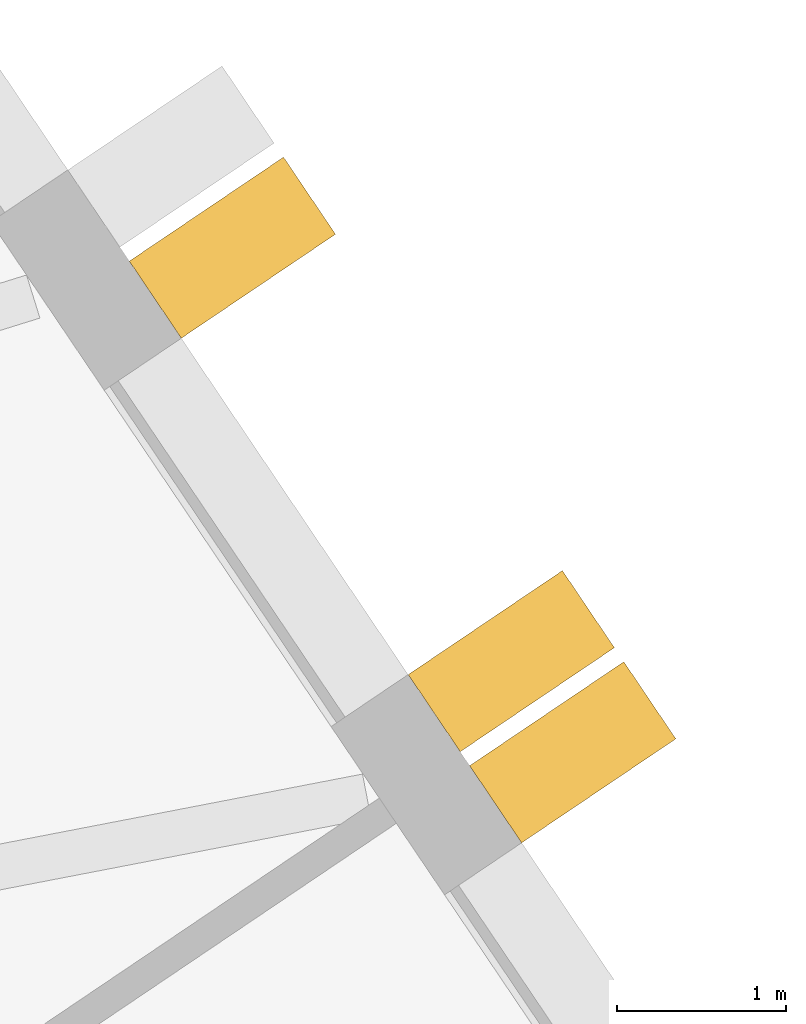
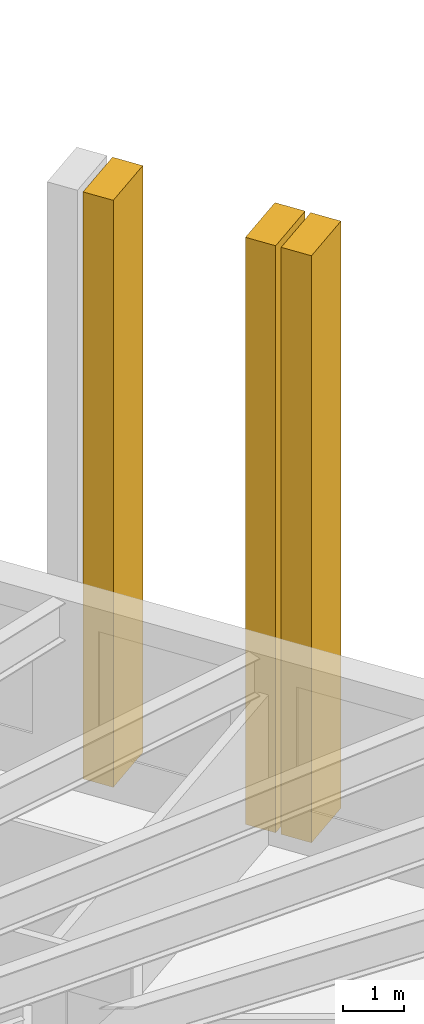
# One storey, part 13 of 13: 3 shading devices.
"""IFC4 building model written with IfcOpenShell, lengths in metres."""

import ifcopenshell
import ifcopenshell.guid

model = None  # the IFC model being written
_history = None  # IfcOwnerHistory: only IFC2X3 demands one
_inside = {}  # id of a spatial element -> (the spatial element, [elements in it])
_under = {}  # id of a project, library or spatial element -> (it, [spatial elements below it])
_declared = {}  # id of a project -> (the project, [libraries it declares])
_typed = {}  # id of a type object -> (the type object, [elements of that type])
_made_of = {}  # id of a material, layer set ... -> (it, [elements and type objects made of it])


def new_model(schema):
    """Start an empty IFC model of exactly this schema.

    Asked for "IFC4X3", IfcOpenShell would pick the latest addendum, in which some entities
    have other attributes; the version numbers below select the first issue.
    IFC2X3 requires an IfcOwnerHistory on every rooted entity: one is made here for all.
    """
    global model, _history
    if schema == "IFC4X3":
        model = ifcopenshell.file(schema_version=(4, 3, 0, 0))
    else:
        model = ifcopenshell.file(schema=schema)
    _inside.clear()
    _under.clear()
    _declared.clear()
    _typed.clear()
    _made_of.clear()
    _history = None
    if model.schema == "IFC2X3":
        org = make("IfcOrganization", Name="unknown")
        user = make(
            "IfcPersonAndOrganization",
            ThePerson=make("IfcPerson", FamilyName="unknown"),
            TheOrganization=org,
        )
        app = make(
            "IfcApplication",
            ApplicationDeveloper=org,
            Version="unknown",
            ApplicationFullName="unknown",
            ApplicationIdentifier="unknown",
        )
        _history = make(
            "IfcOwnerHistory",
            OwningUser=user,
            OwningApplication=app,
            ChangeAction="ADDED",
            CreationDate=0,
        )
    return model


def make(cls, **values):
    """One entity of the class cls with the attributes given. An attribute that is None is left unset."""
    return model.create_entity(
        cls, **{name: value for name, value in values.items() if value is not None}
    )


def rooted(cls, **values):
    """An entity with a GlobalId (a new one), such as an element, a storey or a relation."""
    return make(cls, GlobalId=ifcopenshell.guid.new(), OwnerHistory=_history, **values)


def si_unit(unit_type, name, prefix=None):
    """IfcSIUnit, for example si_unit("LENGTHUNIT", "METRE", prefix="MILLI")."""
    return make("IfcSIUnit", UnitType=unit_type, Prefix=prefix, Name=name)


def assignment(units):
    """IfcUnitAssignment: the units of a project."""
    return None if units is None else make("IfcUnitAssignment", Units=units)


def point(xyz):
    """IfcCartesianPoint."""
    return None if xyz is None else make("IfcCartesianPoint", Coordinates=xyz)


def direction(xyz):
    """IfcDirection."""
    return None if xyz is None else make("IfcDirection", DirectionRatios=xyz)


def frame(location, z_axis=None, x_axis=None):
    """IfcAxis2Placement3D, a coordinate frame: its origin and axes. An axis left out is left unset."""
    return make(
        "IfcAxis2Placement3D",
        Location=point(location),
        Axis=direction(z_axis),
        RefDirection=direction(x_axis),
    )


def origin():
    """The frame at (0, 0, 0) with its axes left unset."""
    return frame((0.0, 0.0, 0.0))


def place(relative_to, where):
    """IfcLocalPlacement: puts the frame where relative to a parent placement (None: the world)."""
    return make(
        "IfcLocalPlacement", PlacementRelTo=relative_to, RelativePlacement=where
    )


def context(
    kind, dimensions, precision=None, world=None, true_north=None, identifier=None
):
    """IfcGeometricRepresentationContext, for example the 3D "Model" context."""
    return make(
        "IfcGeometricRepresentationContext",
        ContextIdentifier=identifier,
        ContextType=kind,
        CoordinateSpaceDimension=dimensions,
        Precision=precision,
        WorldCoordinateSystem=world,
        TrueNorth=true_north,
    )


def subcontext(parent, identifier, kind, view, scale=None):
    """IfcGeometricRepresentationSubContext, for example "Body" below "Model"."""
    return make(
        "IfcGeometricRepresentationSubContext",
        ContextIdentifier=identifier,
        ContextType=kind,
        ParentContext=parent,
        TargetScale=scale,
        TargetView=view,
    )


def project(units=None, contexts=None):
    """IfcProject with its units and contexts."""
    return rooted(
        "IfcProject",
        Name="project",
        RepresentationContexts=contexts,
        UnitsInContext=assignment(units),
    )


def spatial(cls, under=None, at=None, **own):
    """A site, building, storey or space (cls), placed at a placement, below another one or the project."""
    s = rooted(cls, ObjectPlacement=at, **own)
    if under is not None:
        _under.setdefault(under.id(), (under, []))[1].append(s)
    return s


def polyline(points):
    """IfcPolyline through the points."""
    return make("IfcPolyline", Points=[point(p) for p in points])


def outline(outer, holes=None, kind="AREA"):
    """IfcArbitraryClosedProfileDef: a profile drawn as a closed curve; with holes, ...WithVoids."""
    if holes is None:
        return make("IfcArbitraryClosedProfileDef", ProfileType=kind, OuterCurve=outer)
    return make(
        "IfcArbitraryProfileDefWithVoids",
        ProfileType=kind,
        OuterCurve=outer,
        InnerCurves=holes,
    )


def extrude(swept, where, along, depth):
    """IfcExtrudedAreaSolid: the profile swept, set in the frame where, extruded along a direction by depth."""
    return make(
        "IfcExtrudedAreaSolid",
        SweptArea=swept,
        Position=where,
        ExtrudedDirection=direction(along),
        Depth=depth,
    )


def shape(context_of_items, identifier, shape_type, items):
    """IfcShapeRepresentation: the items that make up one representation, for example the "Body"."""
    return make(
        "IfcShapeRepresentation",
        ContextOfItems=context_of_items,
        RepresentationIdentifier=identifier,
        RepresentationType=shape_type,
        Items=items,
    )


def material(Name=None, Category=None):
    """IfcMaterial."""
    return make("IfcMaterial", Name=Name, Category=Category)


def layer(
    of_material, thickness, ventilated=None, Name=None, Category=None, Priority=None
):
    """IfcMaterialLayer: one layer of a wall or slab, of a material (None: an air gap)."""
    return make(
        "IfcMaterialLayer",
        Material=of_material,
        LayerThickness=thickness,
        IsVentilated=ventilated,
        Name=Name,
        Category=Category,
        Priority=Priority,
    )


def layer_set(layers, Name=None):
    """IfcMaterialLayerSet."""
    return make("IfcMaterialLayerSet", MaterialLayers=layers, LayerSetName=Name)


def made_of(thing, what):
    """Note that an element or type object is made of a material, layer set ...; save() writes the relation."""
    if what is not None:
        _made_of.setdefault(what.id(), (what, []))[1].append(thing)
    return thing


def type_object(cls, material=None, **own):
    """A type object (cls), such as IfcWallType, which elements share."""
    return made_of(rooted(cls, **own), material)


def element(
    cls,
    number,
    at=None,
    inside=None,
    cuts=None,
    type_object=None,
    material=None,
    context=None,
    identifier="Body",
    shape_type=None,
    held_by="IfcProductDefinitionShape",
    body=None,
    shapes=None,
    **own,
):
    """One element of the class cls, such as IfcWall. Its Tag is "e" and its number.

    at: its placement. inside: the storey or other place that contains it. cuts: it is an
    opening in that element (IfcRelVoidsElement). A single representation is given by context,
    identifier, shape_type and body (its items); several are given by shapes. held_by: the class
    of the entity that holds the representations. save() writes the other relations.
    """
    e = rooted(cls, Tag="e%d" % number, ObjectPlacement=at, **own)
    if body is not None:
        shapes = [shape(context, identifier, shape_type, body)]
    if shapes is not None:
        e.Representation = make(held_by, Representations=shapes)
    if inside is not None:
        _inside.setdefault(inside.id(), (inside, []))[1].append(e)
    if cuts is not None:
        rooted(
            "IfcRelVoidsElement", RelatingBuildingElement=cuts, RelatedOpeningElement=e
        )
    if type_object is not None:
        _typed.setdefault(type_object.id(), (type_object, []))[1].append(e)
    return made_of(e, material)


def aggregate(whole, parts):
    """IfcRelAggregates: a whole, such as a stair, and the parts it consists of."""
    return rooted("IfcRelAggregates", RelatingObject=whole, RelatedObjects=parts)


def save(model, path):
    """Write the relations noted so far, then the file.

    IfcRelAggregates (storeys below a building ...), IfcRelContainedInSpatialStructure (elements
    in a storey), IfcRelDefinesByType, IfcRelAssociatesMaterial and IfcRelDeclares: one each for
    every whole, place, type object, material and project.
    """
    for whole, parts in _under.values():
        aggregate(whole, parts)
    for where, things in _inside.values():
        rooted(
            "IfcRelContainedInSpatialStructure",
            RelatedElements=things,
            RelatingStructure=where,
        )
    for kind, things in _typed.values():
        rooted("IfcRelDefinesByType", RelatedObjects=things, RelatingType=kind)
    for what, things in _made_of.values():
        rooted("IfcRelAssociatesMaterial", RelatedObjects=things, RelatingMaterial=what)
    for by, libraries in _declared.values():
        rooted("IfcRelDeclares", RelatingContext=by, RelatedDefinitions=libraries)
    model.write(path)


model = new_model("IFC4")

# Units and contexts
model_context = context("Model", 3, precision=1e-05, world=origin(), true_north=direction((0.0, 1.0)))
body_context = subcontext(model_context, "Body", "Model", "MODEL_VIEW")
ifc_project = project(units=[si_unit("LENGTHUNIT", "METRE"), si_unit("AREAUNIT", "SQUARE_METRE"), si_unit("VOLUMEUNIT", "CUBIC_METRE"), si_unit("PLANEANGLEUNIT", "RADIAN"), si_unit("MASSUNIT", "GRAM", prefix="KILO")], contexts=[model_context])

# Site, building, storey
site_placement = place(None, origin())
site = spatial("IfcSite", under=ifc_project, at=site_placement, CompositionType="ELEMENT")
building_placement = place(site_placement, origin())
building = spatial("IfcBuilding", under=site, at=building_placement, Name="Tarnside Tower", CompositionType="ELEMENT")
storey_placement = place(building_placement, frame((0.0, 0.0, 80.39990234375)))
storey = spatial("IfcBuildingStorey", under=building, at=storey_placement, Name="L17", CompositionType="ELEMENT", Elevation=80.39990234375)

# Shading devices
ifc_material = material(Name="Concrete C50/60 white precast", Category="concrete")
ifc_layer = layer(ifc_material, 0.550048828125)
ifc_layer_set = layer_set([ifc_layer], Name="Precast fin 550 x 1100")
shading_device_type = type_object("IfcShadingDeviceType", Name="Precast fin 550 x 1100", PredefinedType="USERDEFINED", material=ifc_layer_set)
for number, where, z_axis, x_axis, name in (
    (1, (31.769287109375, 6.548583984375, -0.14990234375), (0.559192903471, -0.829037572555, 0.0), (0.829037572555, 0.559192903471, 0.0), "Precast fin"),
    (2, (31.406005859375, 7.087646484375, -0.14990234375), (0.559192903471, -0.829037572555, 0.0), (0.829037572555, 0.559192903471, 0.0), "Precast fin"),
    (3, (29.75634765625, 9.533203125, -0.14990234375), (0.559192903471, -0.829037572555, 0.0), (0.829037572555, 0.559192903471, 0.0), "Precast fin"),
):
    element("IfcShadingDevice", number, at=place(storey_placement, frame(where, z_axis=z_axis, x_axis=x_axis)), inside=storey, type_object=shading_device_type, Name=name, ObjectType="FIN", PredefinedType="USERDEFINED", context=body_context, shape_type="SweptSolid", body=[
        extrude(outline(polyline([(0.0, 0.0), (1.10009765625, 0.0), (1.10009765625, 11.699951171875), (0.0, 11.699951171875), (0.0, 0.0)])), frame((0.0, 0.0, -0.27490234375)), (0.0, 0.0, 1.0), 0.550048828125),
    ])

save(model, "model.ifc")
